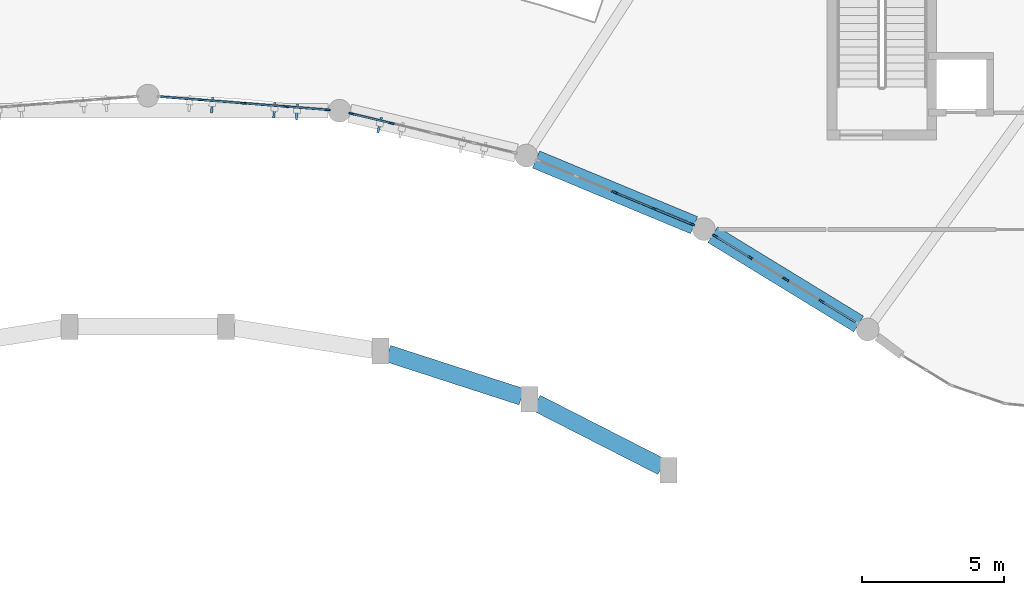
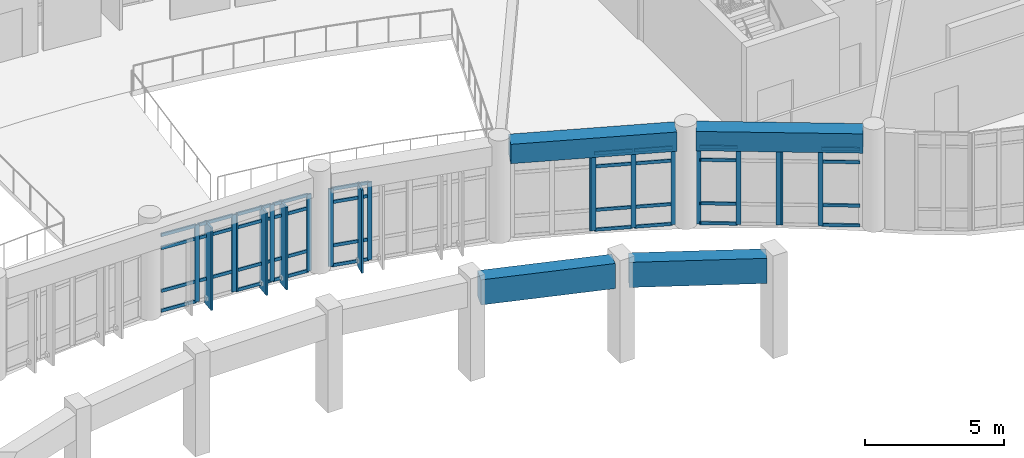
# One storey, part 15 of 57: 55 members, 4 beams, 7 elements without a shape of their own.
"""IFC4 building model written with IfcOpenShell, lengths in metres."""

from ifc_helpers import new_model, si_unit, direction, frame, origin, origin_2d, place, context, subcontext, project, spatial, rectangle, extrude, material, layer, layer_set, material_profile, profile_set, type_object, element, aggregate, save


model = new_model("IFC4")

# Units and contexts
model_context = context("Model", 3, precision=1e-05, world=origin(), true_north=direction((0.0, 1.0)))
body_context = subcontext(model_context, "Body", "Model", "MODEL_VIEW")
ifc_project = project(units=[si_unit("LENGTHUNIT", "METRE"), si_unit("AREAUNIT", "SQUARE_METRE"), si_unit("VOLUMEUNIT", "CUBIC_METRE"), si_unit("PLANEANGLEUNIT", "RADIAN"), si_unit("MASSUNIT", "GRAM", prefix="KILO")], contexts=[model_context])

# Site, building, storey
site_placement = place(None, origin())
site = spatial("IfcSite", under=ifc_project, at=site_placement, CompositionType="ELEMENT")
building_placement = place(site_placement, origin())
building = spatial("IfcBuilding", under=site, at=building_placement, Name="Miralva Faculty of Natural Sciences", CompositionType="ELEMENT")
storey_placement = place(building_placement, frame((0.0, 0.0, 15.0)))
storey = spatial("IfcBuildingStorey", under=building, at=storey_placement, Name="L03", CompositionType="ELEMENT", Elevation=15.0)

# Beams
ifc_material_1 = material(Name="Concrete C40/50", Category="concrete")
ifc_material_profile_1 = material_profile(ifc_material_1, rectangle(XDim=0.64990234375, YDim=0.85009765625, at=origin_2d()), Name="RC 650x850")
ifc_profile_set_1 = profile_set([ifc_material_profile_1], Name="Concrete C40/50")
beam_type_1 = type_object("IfcBeamType", Name="BM-SP03", PredefinedType="SPANDREL", material=ifc_profile_set_1)
beam_1_placement = place(storey_placement, frame((114.9560546875, 13.982177734375, 3.8349609375), z_axis=(-0.85286755932, 0.52212730848, 0.0), x_axis=(-0.52212730848, -0.85286755932, 0.0)))
element("IfcBeam", 1, at=beam_1_placement, inside=storey, type_object=beam_type_1, Name="Curved chord girder ARCIN L03-1", PredefinedType="SPANDREL", context=body_context, shape_type="SweptSolid", body=[
    extrude(rectangle(XDim=0.64990234375, YDim=0.85009765625, at=origin_2d()), origin(), (0.0, 0.0, 1.0), 6.005615234375),
])
beam_2_placement = place(storey_placement, frame((109.18017578125, 17.451416015625, 3.8349609375), z_axis=(-0.923386658192, 0.383871175621, 0.0), x_axis=(-0.383871175621, -0.923386658192, 0.0)))
element("IfcBeam", 2, at=beam_2_placement, inside=storey, type_object=beam_type_1, Name="Curved chord girder ARCIN L03-2", PredefinedType="SPANDREL", context=body_context, shape_type="SweptSolid", body=[
    extrude(rectangle(XDim=0.64990234375, YDim=0.85009765625, at=origin_2d()), origin(), (0.0, 0.0, 1.0), 6.0107421875),
])
ifc_material_profile_2 = material_profile(ifc_material_1, rectangle(XDim=0.60009765625, YDim=1.10009765625, at=origin_2d()), Name="RC 600x1100")
ifc_profile_set_2 = profile_set([ifc_material_profile_2], Name="Concrete C40/50")
beam_type_2 = type_object("IfcBeamType", Name="BM-TG01", PredefinedType="BEAM", material=ifc_profile_set_2)
beam_3_placement = place(storey_placement, frame((108.044189453125, 8.96533203125, 3.699951171875), z_axis=(-0.890746789072, 0.454499898523, 0.0), x_axis=(-0.454499898523, -0.890746789072, 0.0)))
element("IfcBeam", 3, at=beam_3_placement, inside=storey, type_object=beam_type_2, Name="Curved chord girder SHIN L03-1", PredefinedType="BEAM", context=body_context, shape_type="SweptSolid", body=[
    extrude(rectangle(XDim=0.60009765625, YDim=1.10009765625, at=origin_2d()), origin(), (0.0, 0.0, 1.0), 4.948974609375),
])
beam_4_placement = place(storey_placement, frame((103.12744140625, 11.425048828125, 3.699951171875), z_axis=(-0.951378867788, 0.308023132129, 0.0), x_axis=(-0.308023132129, -0.951378867788, 0.0)))
element("IfcBeam", 4, at=beam_4_placement, inside=storey, type_object=beam_type_2, Name="Curved chord girder SHIN L03-2", PredefinedType="BEAM", context=body_context, shape_type="SweptSolid", body=[
    extrude(rectangle(XDim=0.60009765625, YDim=1.10009765625, at=origin_2d()), origin(), (0.0, 0.0, 1.0), 4.934814453125),
])

# Curtain wall, members
ifc_material_2 = material(Name="Laminated solar-control glass", Category="glass")
ifc_layer = layer(ifc_material_2, 0.179931640625, Name="CW-ARC-L03")
ifc_layer_set = layer_set([ifc_layer], Name="Laminated solar-control glass")
curtain_wall_type = type_object("IfcCurtainWallType", Name="CW-ARC-L03", PredefinedType="USERDEFINED", material=ifc_layer_set)
curtain_wall_1_placement = place(storey_placement, origin())
curtain_wall_1 = element("IfcCurtainWall", 5, at=curtain_wall_1_placement, inside=storey, type_object=curtain_wall_type, Name="Curtain wall CW-03 L03-117", ObjectType="UNITISED CURTAIN WALL", PredefinedType="USERDEFINED")
ifc_material_3 = material(Name="Anodised aluminium", Category="aluminium")
ifc_material_profile_3 = material_profile(ifc_material_3, rectangle(XDim=0.06494140625, YDim=0.179931640625, at=origin_2d()), Name="MULLION 65x180")
ifc_profile_set_3 = profile_set([ifc_material_profile_3], Name="Anodised aluminium")
member_type_1 = type_object("IfcMemberType", Name="CW-M01", PredefinedType="MULLION", material=ifc_profile_set_3)
member_1_placement = place(storey_placement, frame((91.87353515625, 21.8525390625, 0.0), z_axis=(0.0, 0.0, 1.0), x_axis=(0.078461843942, 0.99691711744, 0.0)))
member_1 = element("IfcMember", 6, at=member_1_placement, type_object=member_type_1, Name="CW-03 mullion 2", PredefinedType="MULLION", context=body_context, shape_type="SweptSolid", body=[
    extrude(rectangle(XDim=0.06494140625, YDim=0.179931640625, at=origin_2d()), origin(), (0.0, 0.0, 1.0), 3.375),
])
member_2_placement = place(storey_placement, frame((93.330810546875, 21.73779296875, 0.0), z_axis=(0.0, 0.0, 1.0), x_axis=(0.078461843942, 0.99691711744, 0.0)))
member_2 = element("IfcMember", 7, at=member_2_placement, type_object=member_type_1, Name="CW-03 mullion 3", PredefinedType="MULLION", context=body_context, shape_type="SweptSolid", body=[
    extrude(rectangle(XDim=0.06494140625, YDim=0.179931640625, at=origin_2d()), origin(), (0.0, 0.0, 1.0), 3.375),
])

curtain_wall_2_placement = place(storey_placement, origin())
curtain_wall_2 = element("IfcCurtainWall", 8, at=curtain_wall_2_placement, inside=storey, type_object=curtain_wall_type, Name="Curtain wall CW-03 L03-118", ObjectType="UNITISED CURTAIN WALL", PredefinedType="USERDEFINED")
member_3_placement = place(storey_placement, frame((93.390625, 21.733154296875, 0.0), z_axis=(0.0, 0.0, 1.0), x_axis=(0.078461381568, 0.996917153831, 0.0)))
member_3 = element("IfcMember", 9, at=member_3_placement, type_object=member_type_1, Name="CW-03 mullion 1", PredefinedType="MULLION", context=body_context, shape_type="SweptSolid", body=[
    extrude(rectangle(XDim=0.06494140625, YDim=0.179931640625, at=origin_2d()), origin(), (0.0, 0.0, 1.0), 3.375),
])
member_4_placement = place(storey_placement, frame((94.8505859375, 21.6181640625, 0.0), z_axis=(0.0, 0.0, 1.0), x_axis=(0.078461381568, 0.996917153831, 0.0)))
member_4 = element("IfcMember", 10, at=member_4_placement, type_object=member_type_1, Name="CW-03 mullion 2", PredefinedType="MULLION", context=body_context, shape_type="SweptSolid", body=[
    extrude(rectangle(XDim=0.06494140625, YDim=0.179931640625, at=origin_2d()), origin(), (0.0, 0.0, 1.0), 3.375),
])
member_5_placement = place(storey_placement, frame((96.310546875, 21.50341796875, 0.0), z_axis=(0.0, 0.0, 1.0), x_axis=(0.078461381568, 0.996917153831, 0.0)))
member_5 = element("IfcMember", 11, at=member_5_placement, type_object=member_type_1, Name="CW-03 mullion 3", PredefinedType="MULLION", context=body_context, shape_type="SweptSolid", body=[
    extrude(rectangle(XDim=0.06494140625, YDim=0.179931640625, at=origin_2d()), origin(), (0.0, 0.0, 1.0), 3.375),
])

curtain_wall_3_placement = place(storey_placement, origin())
curtain_wall_3 = element("IfcCurtainWall", 12, at=curtain_wall_3_placement, inside=storey, type_object=curtain_wall_type, Name="Curtain wall CW-03 L03-119", ObjectType="UNITISED CURTAIN WALL", PredefinedType="USERDEFINED")
member_6_placement = place(storey_placement, frame((97.142333984375, 21.370849609375, 0.0), z_axis=(0.0, 0.0, 1.0), x_axis=(0.233456753574, 0.972367185898, 0.0)))
member_6 = element("IfcMember", 13, at=member_6_placement, type_object=member_type_1, Name="CW-03 mullion 1", PredefinedType="MULLION", context=body_context, shape_type="SweptSolid", body=[
    extrude(rectangle(XDim=0.06494140625, YDim=0.179931640625, at=origin_2d()), origin(), (0.0, 0.0, 1.0), 3.405029296875),
])
member_7_placement = place(storey_placement, frame((98.55908203125, 21.03076171875, 0.0), z_axis=(0.0, 0.0, 1.0), x_axis=(0.233456753574, 0.972367185898, 0.0)))
member_7 = element("IfcMember", 14, at=member_7_placement, type_object=member_type_1, Name="CW-03 mullion 2", PredefinedType="MULLION", context=body_context, shape_type="SweptSolid", body=[
    extrude(rectangle(XDim=0.06494140625, YDim=0.179931640625, at=origin_2d()), origin(), (0.0, 0.0, 1.0), 3.405029296875),
])

# Curtain wall, member
curtain_wall_4_placement = place(storey_placement, origin())
curtain_wall_4 = element("IfcCurtainWall", 15, at=curtain_wall_4_placement, inside=storey, type_object=curtain_wall_type, Name="Curtain wall CW-03 L03-121", ObjectType="UNITISED CURTAIN WALL", PredefinedType="USERDEFINED")
member_8_placement = place(storey_placement, frame((106.374755859375, 18.616943359375, 0.0), z_axis=(0.0, 0.0, 1.0), x_axis=(0.382656259046, 0.9238907876, 0.0)))
member_8 = element("IfcMember", 16, at=member_8_placement, type_object=member_type_1, Name="CW-03 mullion 3", PredefinedType="MULLION", context=body_context, shape_type="SweptSolid", body=[
    extrude(rectangle(XDim=0.06494140625, YDim=0.179931640625, at=origin_2d()), origin(), (0.0, 0.0, 1.0), 3.405029296875),
])
aggregate(curtain_wall_4, [member_8])

# Curtain wall, members
curtain_wall_5_placement = place(storey_placement, origin())
curtain_wall_5 = element("IfcCurtainWall", 17, at=curtain_wall_5_placement, inside=storey, type_object=curtain_wall_type, Name="Curtain wall CW-03 L03-122", ObjectType="UNITISED CURTAIN WALL", PredefinedType="USERDEFINED")
member_9_placement = place(storey_placement, frame((106.43017578125, 18.59375, 0.0), z_axis=(0.0, 0.0, 1.0), x_axis=(0.382695483705, 0.923874540591, 0.0)))
member_9 = element("IfcMember", 18, at=member_9_placement, type_object=member_type_1, Name="CW-03 mullion 1", PredefinedType="MULLION", context=body_context, shape_type="SweptSolid", body=[
    extrude(rectangle(XDim=0.06494140625, YDim=0.179931640625, at=origin_2d()), origin(), (0.0, 0.0, 1.0), 3.405029296875),
])
member_10_placement = place(storey_placement, frame((107.76904296875, 18.039306640625, 0.0), z_axis=(0.0, 0.0, 1.0), x_axis=(0.382695483705, 0.923874540591, 0.0)))
member_10 = element("IfcMember", 19, at=member_10_placement, type_object=member_type_1, Name="CW-03 mullion 2", PredefinedType="MULLION", context=body_context, shape_type="SweptSolid", body=[
    extrude(rectangle(XDim=0.06494140625, YDim=0.179931640625, at=origin_2d()), origin(), (0.0, 0.0, 1.0), 3.405029296875),
])
member_11_placement = place(storey_placement, frame((109.108154296875, 17.484619140625, 0.0), z_axis=(0.0, 0.0, 1.0), x_axis=(0.382695483705, 0.923874540591, 0.0)))
member_11 = element("IfcMember", 20, at=member_11_placement, type_object=member_type_1, Name="CW-03 mullion 3", PredefinedType="MULLION", context=body_context, shape_type="SweptSolid", body=[
    extrude(rectangle(XDim=0.06494140625, YDim=0.179931640625, at=origin_2d()), origin(), (0.0, 0.0, 1.0), 3.405029296875),
])

curtain_wall_6_placement = place(storey_placement, origin())
curtain_wall_6 = element("IfcCurtainWall", 21, at=curtain_wall_6_placement, inside=storey, type_object=curtain_wall_type, Name="Curtain wall CW-03 L03-123", ObjectType="UNITISED CURTAIN WALL", PredefinedType="USERDEFINED")
member_12_placement = place(storey_placement, frame((109.91162109375, 17.07421875, 0.0), z_axis=(0.0, 0.0, 1.0), x_axis=(0.522482534269, 0.852649987617, 0.0)))
member_12 = element("IfcMember", 22, at=member_12_placement, type_object=member_type_1, Name="CW-03 mullion 1", PredefinedType="MULLION", context=body_context, shape_type="SweptSolid", body=[
    extrude(rectangle(XDim=0.06494140625, YDim=0.179931640625, at=origin_2d()), origin(), (0.0, 0.0, 1.0), 3.405029296875),
])
member_13_placement = place(storey_placement, frame((111.14111328125, 16.32080078125, 0.0), z_axis=(0.0, 0.0, 1.0), x_axis=(0.522482534269, 0.852649987617, 0.0)))
member_13 = element("IfcMember", 23, at=member_13_placement, type_object=member_type_1, Name="CW-03 mullion 2", PredefinedType="MULLION", context=body_context, shape_type="SweptSolid", body=[
    extrude(rectangle(XDim=0.06494140625, YDim=0.179931640625, at=origin_2d()), origin(), (0.0, 0.0, 1.0), 3.405029296875),
])
member_14_placement = place(storey_placement, frame((112.37060546875, 15.5673828125, 0.0), z_axis=(0.0, 0.0, 1.0), x_axis=(0.522482534269, 0.852649987617, 0.0)))
member_14 = element("IfcMember", 24, at=member_14_placement, type_object=member_type_1, Name="CW-03 mullion 3", PredefinedType="MULLION", context=body_context, shape_type="SweptSolid", body=[
    extrude(rectangle(XDim=0.06494140625, YDim=0.179931640625, at=origin_2d()), origin(), (0.0, 0.0, 1.0), 3.405029296875),
])

curtain_wall_7_placement = place(storey_placement, origin())
curtain_wall_7 = element("IfcCurtainWall", 25, at=curtain_wall_7_placement, inside=storey, type_object=curtain_wall_type, Name="Curtain wall CW-03 L03-124", ObjectType="UNITISED CURTAIN WALL", PredefinedType="USERDEFINED")
member_15_placement = place(storey_placement, frame((112.421630859375, 15.5361328125, 0.0), z_axis=(0.0, 0.0, 1.0), x_axis=(0.522489018681, 0.852646014098, 0.0)))
member_15 = element("IfcMember", 26, at=member_15_placement, type_object=member_type_1, Name="CW-03 mullion 1", PredefinedType="MULLION", context=body_context, shape_type="SweptSolid", body=[
    extrude(rectangle(XDim=0.06494140625, YDim=0.179931640625, at=origin_2d()), origin(), (0.0, 0.0, 1.0), 3.405029296875),
])
member_16_placement = place(storey_placement, frame((113.653076171875, 14.781494140625, 0.0), z_axis=(0.0, 0.0, 1.0), x_axis=(0.522489018681, 0.852646014098, 0.0)))
member_16 = element("IfcMember", 27, at=member_16_placement, type_object=member_type_1, Name="CW-03 mullion 2", PredefinedType="MULLION", context=body_context, shape_type="SweptSolid", body=[
    extrude(rectangle(XDim=0.06494140625, YDim=0.179931640625, at=origin_2d()), origin(), (0.0, 0.0, 1.0), 3.405029296875),
])

# Member
ifc_material_profile_4 = material_profile(ifc_material_3, rectangle(XDim=0.06494140625, YDim=0.139892578125, at=origin_2d()), Name="TRANSOM 65x140")
ifc_profile_set_4 = profile_set([ifc_material_profile_4], Name="Anodised aluminium")
member_type_2 = type_object("IfcMemberType", Name="CW-T01", PredefinedType="USERDEFINED", material=ifc_profile_set_4)
member_17_placement = place(storey_placement, frame((90.448486328125, 21.964599609375, 0.032470703125), z_axis=(0.996916165291, -0.078473940781, 0.0), x_axis=(0.078473940781, 0.996916165291, 0.0)))
member_17 = element("IfcMember", 28, at=member_17_placement, type_object=member_type_2, Name="CW-03 transom 1.1", ObjectType="TRANSOM", PredefinedType="USERDEFINED", context=body_context, shape_type="SweptSolid", body=[
    extrude(rectangle(XDim=0.06494140625, YDim=0.139892578125, at=origin_2d()), origin(), (0.0, 0.0, 1.0), 1.39697265625),
])

member_18_placement = place(storey_placement, frame((90.448486328125, 21.964599609375, 0.89990234375), z_axis=(0.996916165291, -0.078473940781, 0.0), x_axis=(0.078473940781, 0.996916165291, 0.0)))
member_18 = element("IfcMember", 29, at=member_18_placement, type_object=member_type_2, Name="CW-03 transom 1.2", ObjectType="TRANSOM", PredefinedType="USERDEFINED", context=body_context, shape_type="SweptSolid", body=[
    extrude(rectangle(XDim=0.06494140625, YDim=0.139892578125, at=origin_2d()), origin(), (0.0, 0.0, 1.0), 1.39697265625),
])

member_19_placement = place(storey_placement, frame((90.448486328125, 21.964599609375, 2.77490234375), z_axis=(0.996916165291, -0.078473940781, 0.0), x_axis=(0.078473940781, 0.996916165291, 0.0)))
member_19 = element("IfcMember", 30, at=member_19_placement, type_object=member_type_2, Name="CW-03 transom 1.3", ObjectType="TRANSOM", PredefinedType="USERDEFINED", context=body_context, shape_type="SweptSolid", body=[
    extrude(rectangle(XDim=0.06494140625, YDim=0.139892578125, at=origin_2d()), origin(), (0.0, 0.0, 1.0), 1.39697265625),
])

member_20_placement = place(storey_placement, frame((90.448486328125, 21.964599609375, 3.342529296875), z_axis=(0.996916165291, -0.078473940781, 0.0), x_axis=(0.078473940781, 0.996916165291, 0.0)))
member_20 = element("IfcMember", 31, at=member_20_placement, type_object=member_type_2, Name="CW-03 transom 1.4", ObjectType="TRANSOM", PredefinedType="USERDEFINED", context=body_context, shape_type="SweptSolid", body=[
    extrude(rectangle(XDim=0.06494140625, YDim=0.139892578125, at=origin_2d()), origin(), (0.0, 0.0, 1.0), 1.39697265625),
])

member_21_placement = place(storey_placement, frame((91.906005859375, 21.85009765625, 0.89990234375), z_axis=(0.996916165291, -0.078473940781, 0.0), x_axis=(0.078473940781, 0.996916165291, 0.0)))
member_21 = element("IfcMember", 32, at=member_21_placement, type_object=member_type_2, Name="CW-03 transom 2.2", ObjectType="TRANSOM", PredefinedType="USERDEFINED", context=body_context, shape_type="SweptSolid", body=[
    extrude(rectangle(XDim=0.06494140625, YDim=0.139892578125, at=origin_2d()), origin(), (0.0, 0.0, 1.0), 1.39697265625),
])

member_22_placement = place(storey_placement, frame((91.906005859375, 21.85009765625, 2.77490234375), z_axis=(0.996916165291, -0.078473940781, 0.0), x_axis=(0.078473940781, 0.996916165291, 0.0)))
member_22 = element("IfcMember", 33, at=member_22_placement, type_object=member_type_2, Name="CW-03 transom 2.3", ObjectType="TRANSOM", PredefinedType="USERDEFINED", context=body_context, shape_type="SweptSolid", body=[
    extrude(rectangle(XDim=0.06494140625, YDim=0.139892578125, at=origin_2d()), origin(), (0.0, 0.0, 1.0), 1.39697265625),
])

member_23_placement = place(storey_placement, frame((91.906005859375, 21.85009765625, 3.342529296875), z_axis=(0.996916165291, -0.078473940781, 0.0), x_axis=(0.078473940781, 0.996916165291, 0.0)))
member_23 = element("IfcMember", 34, at=member_23_placement, type_object=member_type_2, Name="CW-03 transom 2.4", ObjectType="TRANSOM", PredefinedType="USERDEFINED", context=body_context, shape_type="SweptSolid", body=[
    extrude(rectangle(XDim=0.06494140625, YDim=0.139892578125, at=origin_2d()), origin(), (0.0, 0.0, 1.0), 1.39697265625),
])

aggregate(curtain_wall_1, [member_1, member_2, member_17, member_18, member_19, member_20, member_21, member_22, member_23])

member_24_placement = place(storey_placement, frame((93.423095703125, 21.730712890625, 0.032470703125), z_axis=(0.996913259646, -0.078510844739, 0.0), x_axis=(0.078510844739, 0.996913259646, 0.0)))
member_24 = element("IfcMember", 35, at=member_24_placement, type_object=member_type_2, Name="CW-03 transom 1.1", ObjectType="TRANSOM", PredefinedType="USERDEFINED", context=body_context, shape_type="SweptSolid", body=[
    extrude(rectangle(XDim=0.06494140625, YDim=0.139892578125, at=origin_2d()), origin(), (0.0, 0.0, 1.0), 1.3994140625),
])

member_25_placement = place(storey_placement, frame((93.423095703125, 21.730712890625, 0.89990234375), z_axis=(0.996913259646, -0.078510844739, 0.0), x_axis=(0.078510844739, 0.996913259646, 0.0)))
member_25 = element("IfcMember", 36, at=member_25_placement, type_object=member_type_2, Name="CW-03 transom 1.2", ObjectType="TRANSOM", PredefinedType="USERDEFINED", context=body_context, shape_type="SweptSolid", body=[
    extrude(rectangle(XDim=0.06494140625, YDim=0.139892578125, at=origin_2d()), origin(), (0.0, 0.0, 1.0), 1.3994140625),
])

member_26_placement = place(storey_placement, frame((93.423095703125, 21.730712890625, 2.77490234375), z_axis=(0.996913259646, -0.078510844739, 0.0), x_axis=(0.078510844739, 0.996913259646, 0.0)))
member_26 = element("IfcMember", 37, at=member_26_placement, type_object=member_type_2, Name="CW-03 transom 1.3", ObjectType="TRANSOM", PredefinedType="USERDEFINED", context=body_context, shape_type="SweptSolid", body=[
    extrude(rectangle(XDim=0.06494140625, YDim=0.139892578125, at=origin_2d()), origin(), (0.0, 0.0, 1.0), 1.3994140625),
])

member_27_placement = place(storey_placement, frame((93.423095703125, 21.730712890625, 3.342529296875), z_axis=(0.996913259646, -0.078510844739, 0.0), x_axis=(0.078510844739, 0.996913259646, 0.0)))
member_27 = element("IfcMember", 38, at=member_27_placement, type_object=member_type_2, Name="CW-03 transom 1.4", ObjectType="TRANSOM", PredefinedType="USERDEFINED", context=body_context, shape_type="SweptSolid", body=[
    extrude(rectangle(XDim=0.06494140625, YDim=0.139892578125, at=origin_2d()), origin(), (0.0, 0.0, 1.0), 1.3994140625),
])

member_28_placement = place(storey_placement, frame((94.883056640625, 21.61572265625, 0.032470703125), z_axis=(0.996913259646, -0.078510844739, 0.0), x_axis=(0.078510844739, 0.996913259646, 0.0)))
member_28 = element("IfcMember", 39, at=member_28_placement, type_object=member_type_2, Name="CW-03 transom 2.1", ObjectType="TRANSOM", PredefinedType="USERDEFINED", context=body_context, shape_type="SweptSolid", body=[
    extrude(rectangle(XDim=0.06494140625, YDim=0.139892578125, at=origin_2d()), origin(), (0.0, 0.0, 1.0), 1.3994140625),
])

member_29_placement = place(storey_placement, frame((94.883056640625, 21.61572265625, 0.89990234375), z_axis=(0.996913259646, -0.078510844739, 0.0), x_axis=(0.078510844739, 0.996913259646, 0.0)))
member_29 = element("IfcMember", 40, at=member_29_placement, type_object=member_type_2, Name="CW-03 transom 2.2", ObjectType="TRANSOM", PredefinedType="USERDEFINED", context=body_context, shape_type="SweptSolid", body=[
    extrude(rectangle(XDim=0.06494140625, YDim=0.139892578125, at=origin_2d()), origin(), (0.0, 0.0, 1.0), 1.3994140625),
])

member_30_placement = place(storey_placement, frame((94.883056640625, 21.61572265625, 2.77490234375), z_axis=(0.996913259646, -0.078510844739, 0.0), x_axis=(0.078510844739, 0.996913259646, 0.0)))
member_30 = element("IfcMember", 41, at=member_30_placement, type_object=member_type_2, Name="CW-03 transom 2.3", ObjectType="TRANSOM", PredefinedType="USERDEFINED", context=body_context, shape_type="SweptSolid", body=[
    extrude(rectangle(XDim=0.06494140625, YDim=0.139892578125, at=origin_2d()), origin(), (0.0, 0.0, 1.0), 1.3994140625),
])

member_31_placement = place(storey_placement, frame((94.883056640625, 21.61572265625, 3.342529296875), z_axis=(0.996913259646, -0.078510844739, 0.0), x_axis=(0.078510844739, 0.996913259646, 0.0)))
member_31 = element("IfcMember", 42, at=member_31_placement, type_object=member_type_2, Name="CW-03 transom 2.4", ObjectType="TRANSOM", PredefinedType="USERDEFINED", context=body_context, shape_type="SweptSolid", body=[
    extrude(rectangle(XDim=0.06494140625, YDim=0.139892578125, at=origin_2d()), origin(), (0.0, 0.0, 1.0), 1.3994140625),
])

aggregate(curtain_wall_2, [member_3, member_4, member_5, member_24, member_25, member_26, member_27, member_28, member_29, member_30, member_31])

member_32_placement = place(storey_placement, frame((97.174072265625, 21.36328125, 0.032470703125), z_axis=(0.97236022589, -0.233485740693, 0.0), x_axis=(0.233485740693, 0.97236022589, 0.0)))
member_32 = element("IfcMember", 43, at=member_32_placement, type_object=member_type_2, Name="CW-03 transom 1.1", ObjectType="TRANSOM", PredefinedType="USERDEFINED", context=body_context, shape_type="SweptSolid", body=[
    extrude(rectangle(XDim=0.06494140625, YDim=0.139892578125, at=origin_2d()), origin(), (0.0, 0.0, 1.0), 1.391845703125),
])

member_33_placement = place(storey_placement, frame((97.174072265625, 21.36328125, 0.89990234375), z_axis=(0.97236022589, -0.233485740693, 0.0), x_axis=(0.233485740693, 0.97236022589, 0.0)))
member_33 = element("IfcMember", 44, at=member_33_placement, type_object=member_type_2, Name="CW-03 transom 1.2", ObjectType="TRANSOM", PredefinedType="USERDEFINED", context=body_context, shape_type="SweptSolid", body=[
    extrude(rectangle(XDim=0.06494140625, YDim=0.139892578125, at=origin_2d()), origin(), (0.0, 0.0, 1.0), 1.391845703125),
])

member_34_placement = place(storey_placement, frame((97.174072265625, 21.36328125, 2.804931640625), z_axis=(0.97236022589, -0.233485740693, 0.0), x_axis=(0.233485740693, 0.97236022589, 0.0)))
member_34 = element("IfcMember", 45, at=member_34_placement, type_object=member_type_2, Name="CW-03 transom 1.3", ObjectType="TRANSOM", PredefinedType="USERDEFINED", context=body_context, shape_type="SweptSolid", body=[
    extrude(rectangle(XDim=0.06494140625, YDim=0.139892578125, at=origin_2d()), origin(), (0.0, 0.0, 1.0), 1.391845703125),
])

member_35_placement = place(storey_placement, frame((97.174072265625, 21.36328125, 3.37255859375), z_axis=(0.97236022589, -0.233485740693, 0.0), x_axis=(0.233485740693, 0.97236022589, 0.0)))
member_35 = element("IfcMember", 46, at=member_35_placement, type_object=member_type_2, Name="CW-03 transom 1.4", ObjectType="TRANSOM", PredefinedType="USERDEFINED", context=body_context, shape_type="SweptSolid", body=[
    extrude(rectangle(XDim=0.06494140625, YDim=0.139892578125, at=origin_2d()), origin(), (0.0, 0.0, 1.0), 1.391845703125),
])

aggregate(curtain_wall_3, [member_6, member_7, member_32, member_33, member_34, member_35])

member_36_placement = place(storey_placement, frame((106.460205078125, 18.58154296875, 0.032470703125), z_axis=(0.923857745483, -0.38273602667, 0.0), x_axis=(0.38273602667, 0.923857745483, 0.0)))
member_36 = element("IfcMember", 47, at=member_36_placement, type_object=member_type_2, Name="CW-03 transom 1.1", ObjectType="TRANSOM", PredefinedType="USERDEFINED", context=body_context, shape_type="SweptSolid", body=[
    extrude(rectangle(XDim=0.06494140625, YDim=0.139892578125, at=origin_2d()), origin(), (0.0, 0.0, 1.0), 1.38427734375),
])

member_37_placement = place(storey_placement, frame((106.460205078125, 18.58154296875, 0.89990234375), z_axis=(0.923857745483, -0.38273602667, 0.0), x_axis=(0.38273602667, 0.923857745483, 0.0)))
member_37 = element("IfcMember", 48, at=member_37_placement, type_object=member_type_2, Name="CW-03 transom 1.2", ObjectType="TRANSOM", PredefinedType="USERDEFINED", context=body_context, shape_type="SweptSolid", body=[
    extrude(rectangle(XDim=0.06494140625, YDim=0.139892578125, at=origin_2d()), origin(), (0.0, 0.0, 1.0), 1.38427734375),
])

member_38_placement = place(storey_placement, frame((106.460205078125, 18.58154296875, 2.804931640625), z_axis=(0.923857745483, -0.38273602667, 0.0), x_axis=(0.38273602667, 0.923857745483, 0.0)))
member_38 = element("IfcMember", 49, at=member_38_placement, type_object=member_type_2, Name="CW-03 transom 1.3", ObjectType="TRANSOM", PredefinedType="USERDEFINED", context=body_context, shape_type="SweptSolid", body=[
    extrude(rectangle(XDim=0.06494140625, YDim=0.139892578125, at=origin_2d()), origin(), (0.0, 0.0, 1.0), 1.38427734375),
])

member_39_placement = place(storey_placement, frame((106.460205078125, 18.58154296875, 3.37255859375), z_axis=(0.923857745483, -0.38273602667, 0.0), x_axis=(0.38273602667, 0.923857745483, 0.0)))
member_39 = element("IfcMember", 50, at=member_39_placement, type_object=member_type_2, Name="CW-03 transom 1.4", ObjectType="TRANSOM", PredefinedType="USERDEFINED", context=body_context, shape_type="SweptSolid", body=[
    extrude(rectangle(XDim=0.06494140625, YDim=0.139892578125, at=origin_2d()), origin(), (0.0, 0.0, 1.0), 1.38427734375),
])

member_40_placement = place(storey_placement, frame((107.799072265625, 18.02685546875, 0.032470703125), z_axis=(0.923883575944, -0.382673670509, 0.0), x_axis=(0.382673670509, 0.923883575944, 0.0)))
member_40 = element("IfcMember", 51, at=member_40_placement, type_object=member_type_2, Name="CW-03 transom 2.1", ObjectType="TRANSOM", PredefinedType="USERDEFINED", context=body_context, shape_type="SweptSolid", body=[
    extrude(rectangle(XDim=0.06494140625, YDim=0.139892578125, at=origin_2d()), origin(), (0.0, 0.0, 1.0), 1.384521484375),
])

member_41_placement = place(storey_placement, frame((107.799072265625, 18.02685546875, 0.89990234375), z_axis=(0.923883575944, -0.382673670509, 0.0), x_axis=(0.382673670509, 0.923883575944, 0.0)))
member_41 = element("IfcMember", 52, at=member_41_placement, type_object=member_type_2, Name="CW-03 transom 2.2", ObjectType="TRANSOM", PredefinedType="USERDEFINED", context=body_context, shape_type="SweptSolid", body=[
    extrude(rectangle(XDim=0.06494140625, YDim=0.139892578125, at=origin_2d()), origin(), (0.0, 0.0, 1.0), 1.384521484375),
])

member_42_placement = place(storey_placement, frame((107.799072265625, 18.02685546875, 2.804931640625), z_axis=(0.923883575944, -0.382673670509, 0.0), x_axis=(0.382673670509, 0.923883575944, 0.0)))
member_42 = element("IfcMember", 53, at=member_42_placement, type_object=member_type_2, Name="CW-03 transom 2.3", ObjectType="TRANSOM", PredefinedType="USERDEFINED", context=body_context, shape_type="SweptSolid", body=[
    extrude(rectangle(XDim=0.06494140625, YDim=0.139892578125, at=origin_2d()), origin(), (0.0, 0.0, 1.0), 1.384521484375),
])

member_43_placement = place(storey_placement, frame((107.799072265625, 18.02685546875, 3.37255859375), z_axis=(0.923883575944, -0.382673670509, 0.0), x_axis=(0.382673670509, 0.923883575944, 0.0)))
member_43 = element("IfcMember", 54, at=member_43_placement, type_object=member_type_2, Name="CW-03 transom 2.4", ObjectType="TRANSOM", PredefinedType="USERDEFINED", context=body_context, shape_type="SweptSolid", body=[
    extrude(rectangle(XDim=0.06494140625, YDim=0.139892578125, at=origin_2d()), origin(), (0.0, 0.0, 1.0), 1.384521484375),
])

aggregate(curtain_wall_5, [member_9, member_10, member_11, member_36, member_37, member_38, member_39, member_40, member_41, member_42, member_43])

member_44_placement = place(storey_placement, frame((109.939208984375, 17.05712890625, 0.032470703125), z_axis=(0.852715910973, -0.522374937352, 0.0), x_axis=(0.522374937352, 0.852715910973, 0.0)))
member_44 = element("IfcMember", 55, at=member_44_placement, type_object=member_type_2, Name="CW-03 transom 1.1", ObjectType="TRANSOM", PredefinedType="USERDEFINED", context=body_context, shape_type="SweptSolid", body=[
    extrude(rectangle(XDim=0.06494140625, YDim=0.139892578125, at=origin_2d()), origin(), (0.0, 0.0, 1.0), 1.376953125),
])

member_45_placement = place(storey_placement, frame((109.939208984375, 17.05712890625, 0.89990234375), z_axis=(0.852715910973, -0.522374937352, 0.0), x_axis=(0.522374937352, 0.852715910973, 0.0)))
member_45 = element("IfcMember", 56, at=member_45_placement, type_object=member_type_2, Name="CW-03 transom 1.2", ObjectType="TRANSOM", PredefinedType="USERDEFINED", context=body_context, shape_type="SweptSolid", body=[
    extrude(rectangle(XDim=0.06494140625, YDim=0.139892578125, at=origin_2d()), origin(), (0.0, 0.0, 1.0), 1.376953125),
])

member_46_placement = place(storey_placement, frame((109.939208984375, 17.05712890625, 2.804931640625), z_axis=(0.852715910973, -0.522374937352, 0.0), x_axis=(0.522374937352, 0.852715910973, 0.0)))
member_46 = element("IfcMember", 57, at=member_46_placement, type_object=member_type_2, Name="CW-03 transom 1.3", ObjectType="TRANSOM", PredefinedType="USERDEFINED", context=body_context, shape_type="SweptSolid", body=[
    extrude(rectangle(XDim=0.06494140625, YDim=0.139892578125, at=origin_2d()), origin(), (0.0, 0.0, 1.0), 1.376953125),
])

member_47_placement = place(storey_placement, frame((109.939208984375, 17.05712890625, 3.37255859375), z_axis=(0.852715910973, -0.522374937352, 0.0), x_axis=(0.522374937352, 0.852715910973, 0.0)))
member_47 = element("IfcMember", 58, at=member_47_placement, type_object=member_type_2, Name="CW-03 transom 1.4", ObjectType="TRANSOM", PredefinedType="USERDEFINED", context=body_context, shape_type="SweptSolid", body=[
    extrude(rectangle(XDim=0.06494140625, YDim=0.139892578125, at=origin_2d()), origin(), (0.0, 0.0, 1.0), 1.376953125),
])

aggregate(curtain_wall_6, [member_12, member_13, member_14, member_44, member_45, member_46, member_47])

member_48_placement = place(storey_placement, frame((113.680908203125, 14.764404296875, 0.032470703125), z_axis=(0.852629234455, -0.522516400272, 0.0), x_axis=(0.522516400272, 0.852629234455, 0.0)))
member_48 = element("IfcMember", 59, at=member_48_placement, type_object=member_type_2, Name="CW-03 transom 2.1", ObjectType="TRANSOM", PredefinedType="USERDEFINED", context=body_context, shape_type="SweptSolid", body=[
    extrude(rectangle(XDim=0.06494140625, YDim=0.139892578125, at=origin_2d()), origin(), (0.0, 0.0, 1.0), 1.37939453125),
])

member_49_placement = place(storey_placement, frame((113.680908203125, 14.764404296875, 0.89990234375), z_axis=(0.852629234455, -0.522516400272, 0.0), x_axis=(0.522516400272, 0.852629234455, 0.0)))
member_49 = element("IfcMember", 60, at=member_49_placement, type_object=member_type_2, Name="CW-03 transom 2.2", ObjectType="TRANSOM", PredefinedType="USERDEFINED", context=body_context, shape_type="SweptSolid", body=[
    extrude(rectangle(XDim=0.06494140625, YDim=0.139892578125, at=origin_2d()), origin(), (0.0, 0.0, 1.0), 1.37939453125),
])

member_50_placement = place(storey_placement, frame((113.680908203125, 14.764404296875, 2.804931640625), z_axis=(0.852629234455, -0.522516400272, 0.0), x_axis=(0.522516400272, 0.852629234455, 0.0)))
member_50 = element("IfcMember", 61, at=member_50_placement, type_object=member_type_2, Name="CW-03 transom 2.3", ObjectType="TRANSOM", PredefinedType="USERDEFINED", context=body_context, shape_type="SweptSolid", body=[
    extrude(rectangle(XDim=0.06494140625, YDim=0.139892578125, at=origin_2d()), origin(), (0.0, 0.0, 1.0), 1.37939453125),
])

member_51_placement = place(storey_placement, frame((113.680908203125, 14.764404296875, 3.37255859375), z_axis=(0.852629234455, -0.522516400272, 0.0), x_axis=(0.522516400272, 0.852629234455, 0.0)))
member_51 = element("IfcMember", 62, at=member_51_placement, type_object=member_type_2, Name="CW-03 transom 2.4", ObjectType="TRANSOM", PredefinedType="USERDEFINED", context=body_context, shape_type="SweptSolid", body=[
    extrude(rectangle(XDim=0.06494140625, YDim=0.139892578125, at=origin_2d()), origin(), (0.0, 0.0, 1.0), 1.37939453125),
])

aggregate(curtain_wall_7, [member_15, member_16, member_48, member_49, member_50, member_51])

# Members
ifc_material_profile_5 = material_profile(ifc_material_3, rectangle(XDim=0.080078125, YDim=0.550048828125, at=origin_2d()), Name="FIN 550x80")
ifc_profile_set_5 = profile_set([ifc_material_profile_5], Name="Anodised aluminium")
member_type_3 = type_object("IfcMemberType", Name="MEM-SF01", PredefinedType="USERDEFINED", material=ifc_profile_set_5)
for number, where, z_axis, x_axis, name in (
    (63, (92.257080078125, 21.661865234375, -0.239990234375), (0.0, 0.0, 1.0), (0.996917333733, -0.078459095728, 0.0), "Solar shading fin SF-01 L03-78"),
    (64, (94.44091796875, 21.489990234375, -0.239990234375), (0.0, 0.0, 1.0), (0.996917333733, -0.078459095728, 0.0), "Solar shading fin SF-01 L03-79"),
    (65, (95.2353515625, 21.427490234375, -0.239990234375), (0.0, 0.0, 1.0), (0.996917333733, -0.078459095728, 0.0), "Solar shading fin SF-01 L03-80"),
):
    element("IfcMember", number, at=place(storey_placement, frame(where, z_axis=z_axis, x_axis=x_axis)), inside=storey, type_object=member_type_3, Name=name, ObjectType="SUNSHADE", PredefinedType="USERDEFINED", context=body_context, shape_type="SweptSolid", body=[
        extrude(rectangle(XDim=0.080078125, YDim=0.550048828125, at=origin_2d()), origin(), (0.0, 0.0, 1.0), 3.614990234375),
    ])
member_52_placement = place(storey_placement, frame((98.137939453125, 20.96728515625, -0.239990234375), z_axis=(0.0, 0.0, 1.0), x_axis=(0.972369920398, -0.233445363856, 0.0)))
element("IfcMember", 66, at=member_52_placement, inside=storey, type_object=member_type_3, Name="Solar shading fin SF-01 L03-81", ObjectType="SUNSHADE", PredefinedType="USERDEFINED", context=body_context, shape_type="SweptSolid", body=[
    extrude(rectangle(XDim=0.080078125, YDim=0.550048828125, at=origin_2d()), origin(), (0.0, 0.0, 1.0), 3.64501953125),
])

save(model, "model.ifc")
